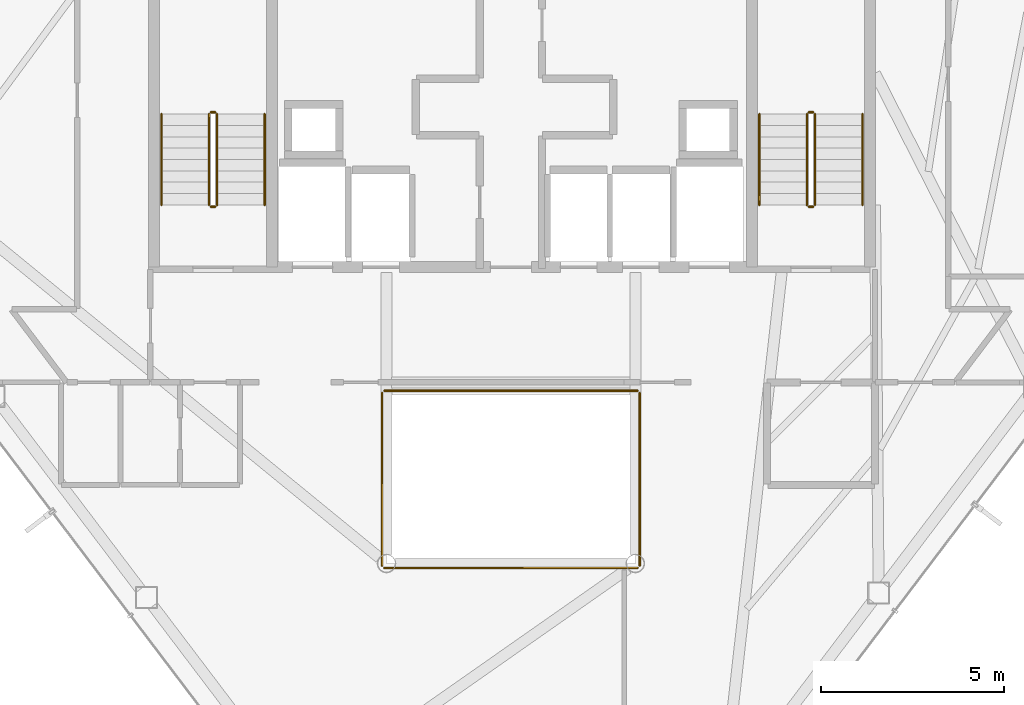
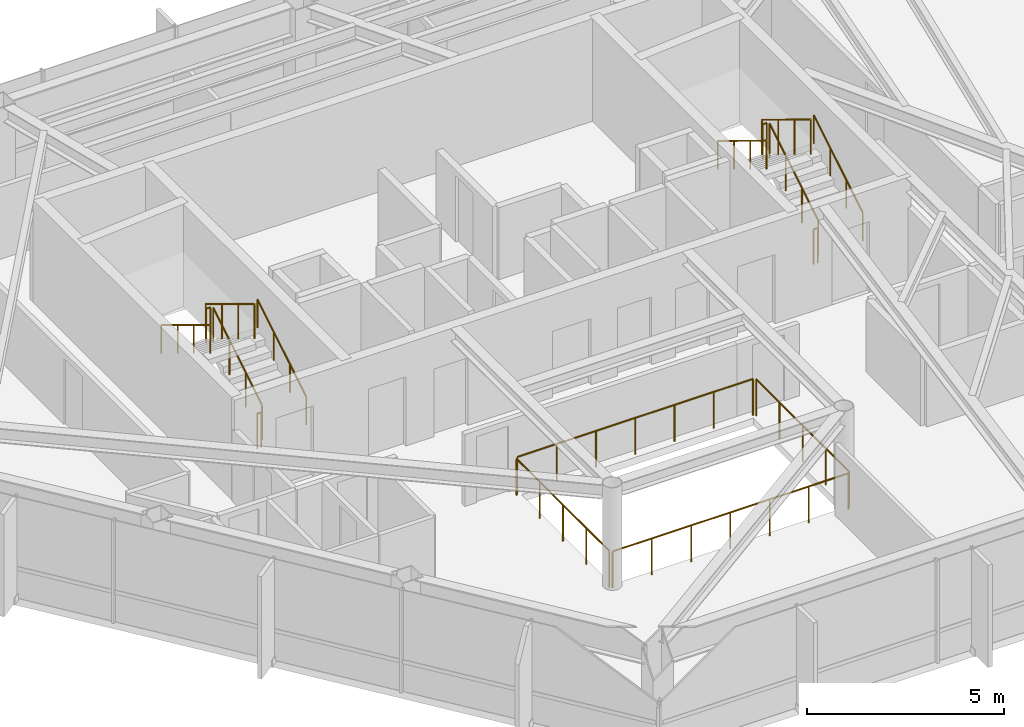
# One storey, part 28 of 28: 16 railings.
"""IFC4 building model written with IfcOpenShell, lengths in metres."""

from ifc_helpers import new_model, si_unit, direction, frame, origin, origin_2d, place, context, subcontext, project, spatial, circle, extrude, material, type_object, element, save


model = new_model("IFC4")

# Units and contexts
model_context = context("Model", 3, precision=1e-05, world=origin(), true_north=direction((0.0, 1.0)))
body_context = subcontext(model_context, "Body", "Model", "MODEL_VIEW")
ifc_project = project(units=[si_unit("LENGTHUNIT", "METRE"), si_unit("AREAUNIT", "SQUARE_METRE"), si_unit("VOLUMEUNIT", "CUBIC_METRE"), si_unit("PLANEANGLEUNIT", "RADIAN"), si_unit("MASSUNIT", "GRAM", prefix="KILO")], contexts=[model_context])

# Site, building, storey
site_placement = place(None, origin())
site = spatial("IfcSite", under=ifc_project, at=site_placement, CompositionType="ELEMENT")
building_placement = place(site_placement, origin())
building = spatial("IfcBuilding", under=site, at=building_placement, Name="Zarrinselat Tower", CompositionType="ELEMENT")
storey_placement = place(building_placement, frame((0.0, 0.0, 222.360107421875)))
storey = spatial("IfcBuildingStorey", under=building, at=storey_placement, Name="L55", CompositionType="ELEMENT", Elevation=222.360107421875)

# Railings
ifc_material_1 = material(Name="Double Low-E Laminated Solar Glass", Category="glass")
railing_type_1 = type_object("IfcRailingType", Name="RLG-ATRIUM-BAL", PredefinedType="BALUSTRADE", material=ifc_material_1)
railing_1_placement = place(storey_placement, frame((34.93994140625, 25.080078125, 0.0)))
element("IfcRailing", 1, at=railing_1_placement, inside=storey, type_object=railing_type_1, Name="L55 Atrium Void Glass Balustrade S", PredefinedType="BALUSTRADE", context=body_context, shape_type="SweptSolid", body=[
    extrude(circle(Radius=0.02392578125, at=origin_2d()), frame((0.0, 0.0, 1.1259765625), z_axis=(1.0, 0.0, 0.0), x_axis=(0.0, 1.0, 0.0)), (0.0, 0.0, 1.0), 6.920166015625),
    extrude(circle(Radius=0.02099609375, at=origin_2d()), origin(), (0.0, 0.0, 1.0), 1.099853515625),
    extrude(circle(Radius=0.02099609375, at=origin_2d()), frame((1.1533203125, 0.0, 0.0)), (0.0, 0.0, 1.0), 1.099853515625),
    extrude(circle(Radius=0.02099609375, at=origin_2d()), frame((2.306640625, 0.0, 0.0)), (0.0, 0.0, 1.0), 1.099853515625),
    extrude(circle(Radius=0.02099609375, at=origin_2d()), frame((3.4599609375, 0.0, 0.0)), (0.0, 0.0, 1.0), 1.099853515625),
    extrude(circle(Radius=0.02099609375, at=origin_2d()), frame((4.613525390625, 0.0, 0.0)), (0.0, 0.0, 1.0), 1.099853515625),
    extrude(circle(Radius=0.02099609375, at=origin_2d()), frame((5.766845703125, 0.0, 0.0)), (0.0, 0.0, 1.0), 1.099853515625),
    extrude(circle(Radius=0.02099609375, at=origin_2d()), frame((6.920166015625, 0.0, 0.0)), (0.0, 0.0, 1.0), 1.099853515625),
])
railing_2_placement = place(storey_placement, frame((41.919921875, 25.139892578125, 0.0)))
element("IfcRailing", 2, at=railing_2_placement, inside=storey, type_object=railing_type_1, Name="L55 Atrium Void Glass Balustrade E", PredefinedType="BALUSTRADE", context=body_context, shape_type="SweptSolid", body=[
    extrude(circle(Radius=0.02392578125, at=origin_2d()), frame((0.0, 0.0, 1.1259765625), z_axis=(0.0, 1.0, 0.0), x_axis=(-1.0, 0.0, 0.0)), (0.0, 0.0, 1.0), 4.72021484375),
    extrude(circle(Radius=0.02099609375, at=origin_2d()), origin(), (0.0, 0.0, 1.0), 1.099853515625),
    extrude(circle(Radius=0.02099609375, at=origin_2d()), frame((0.0, 1.18017578125, 0.0)), (0.0, 0.0, 1.0), 1.099853515625),
    extrude(circle(Radius=0.02099609375, at=origin_2d()), frame((0.0, 2.360107421875, 0.0)), (0.0, 0.0, 1.0), 1.099853515625),
    extrude(circle(Radius=0.02099609375, at=origin_2d()), frame((0.0, 3.5400390625, 0.0)), (0.0, 0.0, 1.0), 1.099853515625),
    extrude(circle(Radius=0.02099609375, at=origin_2d()), frame((0.0, 4.72021484375, 0.0)), (0.0, 0.0, 1.0), 1.099853515625),
])
railing_3_placement = place(storey_placement, frame((41.860107421875, 29.919921875, 0.0)))
element("IfcRailing", 3, at=railing_3_placement, inside=storey, type_object=railing_type_1, Name="L55 Atrium Void Glass Balustrade N", PredefinedType="BALUSTRADE", context=body_context, shape_type="SweptSolid", body=[
    extrude(circle(Radius=0.02392578125, at=origin_2d()), frame((0.0, 0.0, 1.1259765625), z_axis=(-1.0, 0.0, 0.0), x_axis=(0.0, -1.0, 0.0)), (0.0, 0.0, 1.0), 6.920166015625),
    extrude(circle(Radius=0.02099609375, at=origin_2d()), origin(), (0.0, 0.0, 1.0), 1.099853515625),
    extrude(circle(Radius=0.02099609375, at=origin_2d()), frame((-1.1533203125, 0.0, 0.0)), (0.0, 0.0, 1.0), 1.099853515625),
    extrude(circle(Radius=0.02099609375, at=origin_2d()), frame((-2.306640625, 0.0, 0.0)), (0.0, 0.0, 1.0), 1.099853515625),
    extrude(circle(Radius=0.02099609375, at=origin_2d()), frame((-3.4599609375, 0.0, 0.0)), (0.0, 0.0, 1.0), 1.099853515625),
    extrude(circle(Radius=0.02099609375, at=origin_2d()), frame((-4.613525390625, 0.0, 0.0)), (0.0, 0.0, 1.0), 1.099853515625),
    extrude(circle(Radius=0.02099609375, at=origin_2d()), frame((-5.766845703125, 0.0, 0.0)), (0.0, 0.0, 1.0), 1.099853515625),
    extrude(circle(Radius=0.02099609375, at=origin_2d()), frame((-6.920166015625, 0.0, 0.0)), (0.0, 0.0, 1.0), 1.099853515625),
])
railing_4_placement = place(storey_placement, frame((34.8798828125, 29.860107421875, 0.0)))
element("IfcRailing", 4, at=railing_4_placement, inside=storey, type_object=railing_type_1, Name="L55 Atrium Void Glass Balustrade W", PredefinedType="BALUSTRADE", context=body_context, shape_type="SweptSolid", body=[
    extrude(circle(Radius=0.02392578125, at=origin_2d()), frame((0.0, 0.0, 1.1259765625), z_axis=(0.0, -1.0, 0.0), x_axis=(1.0, 0.0, 0.0)), (0.0, 0.0, 1.0), 4.72021484375),
    extrude(circle(Radius=0.02099609375, at=origin_2d()), origin(), (0.0, 0.0, 1.0), 1.099853515625),
    extrude(circle(Radius=0.02099609375, at=origin_2d()), frame((0.0, -1.18017578125, 0.0)), (0.0, 0.0, 1.0), 1.099853515625),
    extrude(circle(Radius=0.02099609375, at=origin_2d()), frame((0.0, -2.360107421875, 0.0)), (0.0, 0.0, 1.0), 1.099853515625),
    extrude(circle(Radius=0.02099609375, at=origin_2d()), frame((0.0, -3.5400390625, 0.0)), (0.0, 0.0, 1.0), 1.099853515625),
    extrude(circle(Radius=0.02099609375, at=origin_2d()), frame((0.0, -4.72021484375, 0.0)), (0.0, 0.0, 1.0), 1.099853515625),
])
ifc_material_2 = material(Name="Steel S355J2", Category="steel")
railing_type_2 = type_object("IfcRailingType", Name="RLG-STAIR-GUARD", PredefinedType="GUARDRAIL", material=ifc_material_2)
railing_5_placement = place(storey_placement, frame((30.3701171875, 35.0, 0.188720703125)))
element("IfcRailing", 5, at=railing_5_placement, inside=storey, type_object=railing_type_2, Name="L55 ST-1 stair guard 1", PredefinedType="GUARDRAIL", context=body_context, shape_type="SweptSolid", body=[
    extrude(circle(Radius=0.02392578125, at=origin_2d()), frame((0.0, 0.0, 1.076171875), z_axis=(0.0, 0.853941963558, 0.520368256982), x_axis=(-1.0, 0.0, 0.0)), (0.0, 0.0, 1.0), 2.904052734375),
    extrude(circle(Radius=0.02099609375, at=origin_2d()), origin(), (0.0, 0.0, 1.0), 1.050048828125),
    extrude(circle(Radius=0.02099609375, at=origin_2d()), frame((0.0, 0.82666015625, 0.503662109375)), (0.0, 0.0, 1.0), 1.050048828125),
    extrude(circle(Radius=0.02099609375, at=origin_2d()), frame((0.0, 1.6533203125, 1.007568359375)), (0.0, 0.0, 1.0), 1.050048828125),
    extrude(circle(Radius=0.02099609375, at=origin_2d()), frame((0.0, 2.47998046875, 1.51123046875)), (0.0, 0.0, 1.0), 1.050048828125),
])
railing_6_placement = place(storey_placement, frame((30.320068359375, 37.530029296875, 1.699951171875)))
element("IfcRailing", 6, at=railing_6_placement, inside=storey, type_object=railing_type_2, Name="L55 ST-1 stair guard 2", PredefinedType="GUARDRAIL", context=body_context, shape_type="SweptSolid", body=[
    extrude(circle(Radius=0.02392578125, at=origin_2d()), frame((0.0, 0.0, 1.076171875), z_axis=(-1.0, 0.0, 0.0), x_axis=(0.0, -1.0, 0.0)), (0.0, 0.0, 1.0), 0.1201171875),
    extrude(circle(Radius=0.02099609375, at=origin_2d()), origin(), (0.0, 0.0, 1.0), 1.050048828125),
    extrude(circle(Radius=0.02099609375, at=origin_2d()), frame((-0.1201171875, 0.0, 0.0)), (0.0, 0.0, 1.0), 1.050048828125),
])
railing_7_placement = place(storey_placement, frame((30.14990234375, 37.47998046875, 1.888671875)))
element("IfcRailing", 7, at=railing_7_placement, inside=storey, type_object=railing_type_2, Name="L55 ST-1 stair guard 3", PredefinedType="GUARDRAIL", context=body_context, shape_type="SweptSolid", body=[
    extrude(circle(Radius=0.02392578125, at=origin_2d()), frame((0.0, 0.0, 1.076171875), z_axis=(0.0, -0.853941963558, 0.520368256982), x_axis=(1.0, 0.0, 0.0)), (0.0, 0.0, 1.0), 2.904052734375),
    extrude(circle(Radius=0.02099609375, at=origin_2d()), origin(), (0.0, 0.0, 1.0), 1.050048828125),
    extrude(circle(Radius=0.02099609375, at=origin_2d()), frame((0.0, -0.82666015625, 0.503662109375)), (0.0, 0.0, 1.0), 1.050048828125),
    extrude(circle(Radius=0.02099609375, at=origin_2d()), frame((0.0, -1.6533203125, 1.007568359375)), (0.0, 0.0, 1.0), 1.050048828125),
    extrude(circle(Radius=0.02099609375, at=origin_2d()), frame((0.0, -2.47998046875, 1.51123046875)), (0.0, 0.0, 1.0), 1.050048828125),
])
railing_8_placement = place(storey_placement, frame((30.320068359375, 34.949951171875, 0.0)))
element("IfcRailing", 8, at=railing_8_placement, inside=storey, type_object=railing_type_2, Name="L55 ST-1 stair guard 4", PredefinedType="GUARDRAIL", context=body_context, shape_type="SweptSolid", body=[
    extrude(circle(Radius=0.02392578125, at=origin_2d()), frame((0.0, 0.0, 1.076171875), z_axis=(-1.0, 0.0, 0.0), x_axis=(0.0, -1.0, 0.0)), (0.0, 0.0, 1.0), 0.1201171875),
    extrude(circle(Radius=0.02099609375, at=origin_2d()), origin(), (0.0, 0.0, 1.0), 1.050048828125),
    extrude(circle(Radius=0.02099609375, at=origin_2d()), frame((-0.1201171875, 0.0, 0.0)), (0.0, 0.0, 1.0), 1.050048828125),
])
railing_9_placement = place(storey_placement, frame((46.7099609375, 35.0, 0.188720703125)))
element("IfcRailing", 9, at=railing_9_placement, inside=storey, type_object=railing_type_2, Name="L55 ST-2 stair guard 1", PredefinedType="GUARDRAIL", context=body_context, shape_type="SweptSolid", body=[
    extrude(circle(Radius=0.02392578125, at=origin_2d()), frame((0.0, 0.0, 1.076171875), z_axis=(0.0, 0.853941963558, 0.520368256982), x_axis=(-1.0, 0.0, 0.0)), (0.0, 0.0, 1.0), 2.904052734375),
    extrude(circle(Radius=0.02099609375, at=origin_2d()), origin(), (0.0, 0.0, 1.0), 1.050048828125),
    extrude(circle(Radius=0.02099609375, at=origin_2d()), frame((0.0, 0.82666015625, 0.503662109375)), (0.0, 0.0, 1.0), 1.050048828125),
    extrude(circle(Radius=0.02099609375, at=origin_2d()), frame((0.0, 1.6533203125, 1.007568359375)), (0.0, 0.0, 1.0), 1.050048828125),
    extrude(circle(Radius=0.02099609375, at=origin_2d()), frame((0.0, 2.47998046875, 1.51123046875)), (0.0, 0.0, 1.0), 1.050048828125),
])
railing_10_placement = place(storey_placement, frame((46.659912109375, 37.530029296875, 1.699951171875)))
element("IfcRailing", 10, at=railing_10_placement, inside=storey, type_object=railing_type_2, Name="L55 ST-2 stair guard 2", PredefinedType="GUARDRAIL", context=body_context, shape_type="SweptSolid", body=[
    extrude(circle(Radius=0.02392578125, at=origin_2d()), frame((0.0, 0.0, 1.076171875), z_axis=(-1.0, 0.0, 0.0), x_axis=(0.0, -1.0, 0.0)), (0.0, 0.0, 1.0), 0.119873046875),
    extrude(circle(Radius=0.02099609375, at=origin_2d()), origin(), (0.0, 0.0, 1.0), 1.050048828125),
    extrude(circle(Radius=0.02099609375, at=origin_2d()), frame((-0.119873046875, 0.0, 0.0)), (0.0, 0.0, 1.0), 1.050048828125),
])
railing_11_placement = place(storey_placement, frame((46.489990234375, 37.47998046875, 1.888671875)))
element("IfcRailing", 11, at=railing_11_placement, inside=storey, type_object=railing_type_2, Name="L55 ST-2 stair guard 3", PredefinedType="GUARDRAIL", context=body_context, shape_type="SweptSolid", body=[
    extrude(circle(Radius=0.02392578125, at=origin_2d()), frame((0.0, 0.0, 1.076171875), z_axis=(0.0, -0.853941963558, 0.520368256982), x_axis=(1.0, 0.0, 0.0)), (0.0, 0.0, 1.0), 2.904052734375),
    extrude(circle(Radius=0.02099609375, at=origin_2d()), origin(), (0.0, 0.0, 1.0), 1.050048828125),
    extrude(circle(Radius=0.02099609375, at=origin_2d()), frame((0.0, -0.82666015625, 0.503662109375)), (0.0, 0.0, 1.0), 1.050048828125),
    extrude(circle(Radius=0.02099609375, at=origin_2d()), frame((0.0, -1.6533203125, 1.007568359375)), (0.0, 0.0, 1.0), 1.050048828125),
    extrude(circle(Radius=0.02099609375, at=origin_2d()), frame((0.0, -2.47998046875, 1.51123046875)), (0.0, 0.0, 1.0), 1.050048828125),
])
railing_12_placement = place(storey_placement, frame((46.659912109375, 34.949951171875, 0.0)))
element("IfcRailing", 12, at=railing_12_placement, inside=storey, type_object=railing_type_2, Name="L55 ST-2 stair guard 4", PredefinedType="GUARDRAIL", context=body_context, shape_type="SweptSolid", body=[
    extrude(circle(Radius=0.02392578125, at=origin_2d()), frame((0.0, 0.0, 1.076171875), z_axis=(-1.0, 0.0, 0.0), x_axis=(0.0, -1.0, 0.0)), (0.0, 0.0, 1.0), 0.119873046875),
    extrude(circle(Radius=0.02099609375, at=origin_2d()), origin(), (0.0, 0.0, 1.0), 1.050048828125),
    extrude(circle(Radius=0.02099609375, at=origin_2d()), frame((-0.119873046875, 0.0, 0.0)), (0.0, 0.0, 1.0), 1.050048828125),
])
ifc_material_3 = material(Name="Steel S355J2", Category="steel")
railing_type_3 = type_object("IfcRailingType", Name="RLG-STAIR-HAND", PredefinedType="HANDRAIL", material=ifc_material_3)
railing_13_placement = place(storey_placement, frame((31.669921875, 35.0, 0.188720703125)))
element("IfcRailing", 13, at=railing_13_placement, inside=storey, type_object=railing_type_3, Name="L55 ST-1 stair handrail 1", PredefinedType="HANDRAIL", context=body_context, shape_type="SweptSolid", body=[
    extrude(circle(Radius=0.02392578125, at=origin_2d()), frame((0.0, 0.0, 0.8759765625), z_axis=(0.0, 0.853941963558, 0.520368256982), x_axis=(-1.0, 0.0, 0.0)), (0.0, 0.0, 1.0), 2.904052734375),
    extrude(circle(Radius=0.02099609375, at=origin_2d()), origin(), (0.0, 0.0, 1.0), 0.849853515625),
    extrude(circle(Radius=0.02099609375, at=origin_2d()), frame((0.0, 0.82666015625, 0.503662109375)), (0.0, 0.0, 1.0), 0.849853515625),
    extrude(circle(Radius=0.02099609375, at=origin_2d()), frame((0.0, 1.6533203125, 1.007568359375)), (0.0, 0.0, 1.0), 0.849853515625),
    extrude(circle(Radius=0.02099609375, at=origin_2d()), frame((0.0, 2.47998046875, 1.51123046875)), (0.0, 0.0, 1.0), 0.849853515625),
])
railing_14_placement = place(storey_placement, frame((28.85009765625, 37.47998046875, 1.888671875)))
element("IfcRailing", 14, at=railing_14_placement, inside=storey, type_object=railing_type_3, Name="L55 ST-1 stair handrail 2", PredefinedType="HANDRAIL", context=body_context, shape_type="SweptSolid", body=[
    extrude(circle(Radius=0.02392578125, at=origin_2d()), frame((0.0, 0.0, 0.8759765625), z_axis=(0.0, -0.853941963558, 0.520368256982), x_axis=(1.0, 0.0, 0.0)), (0.0, 0.0, 1.0), 2.904052734375),
    extrude(circle(Radius=0.02099609375, at=origin_2d()), origin(), (0.0, 0.0, 1.0), 0.849853515625),
    extrude(circle(Radius=0.02099609375, at=origin_2d()), frame((0.0, -0.82666015625, 0.503662109375)), (0.0, 0.0, 1.0), 0.849853515625),
    extrude(circle(Radius=0.02099609375, at=origin_2d()), frame((0.0, -1.6533203125, 1.007568359375)), (0.0, 0.0, 1.0), 0.849853515625),
    extrude(circle(Radius=0.02099609375, at=origin_2d()), frame((0.0, -2.47998046875, 1.51123046875)), (0.0, 0.0, 1.0), 0.849853515625),
])
railing_15_placement = place(storey_placement, frame((48.010009765625, 35.0, 0.188720703125)))
element("IfcRailing", 15, at=railing_15_placement, inside=storey, type_object=railing_type_3, Name="L55 ST-2 stair handrail 1", PredefinedType="HANDRAIL", context=body_context, shape_type="SweptSolid", body=[
    extrude(circle(Radius=0.02392578125, at=origin_2d()), frame((0.0, 0.0, 0.8759765625), z_axis=(0.0, 0.853941963558, 0.520368256982), x_axis=(-1.0, 0.0, 0.0)), (0.0, 0.0, 1.0), 2.904052734375),
    extrude(circle(Radius=0.02099609375, at=origin_2d()), origin(), (0.0, 0.0, 1.0), 0.849853515625),
    extrude(circle(Radius=0.02099609375, at=origin_2d()), frame((0.0, 0.82666015625, 0.503662109375)), (0.0, 0.0, 1.0), 0.849853515625),
    extrude(circle(Radius=0.02099609375, at=origin_2d()), frame((0.0, 1.6533203125, 1.007568359375)), (0.0, 0.0, 1.0), 0.849853515625),
    extrude(circle(Radius=0.02099609375, at=origin_2d()), frame((0.0, 2.47998046875, 1.51123046875)), (0.0, 0.0, 1.0), 0.849853515625),
])
railing_16_placement = place(storey_placement, frame((45.18994140625, 37.47998046875, 1.888671875)))
element("IfcRailing", 16, at=railing_16_placement, inside=storey, type_object=railing_type_3, Name="L55 ST-2 stair handrail 2", PredefinedType="HANDRAIL", context=body_context, shape_type="SweptSolid", body=[
    extrude(circle(Radius=0.02392578125, at=origin_2d()), frame((0.0, 0.0, 0.8759765625), z_axis=(0.0, -0.853941963558, 0.520368256982), x_axis=(1.0, 0.0, 0.0)), (0.0, 0.0, 1.0), 2.904052734375),
    extrude(circle(Radius=0.02099609375, at=origin_2d()), origin(), (0.0, 0.0, 1.0), 0.849853515625),
    extrude(circle(Radius=0.02099609375, at=origin_2d()), frame((0.0, -0.82666015625, 0.503662109375)), (0.0, 0.0, 1.0), 0.849853515625),
    extrude(circle(Radius=0.02099609375, at=origin_2d()), frame((0.0, -1.6533203125, 1.007568359375)), (0.0, 0.0, 1.0), 0.849853515625),
    extrude(circle(Radius=0.02099609375, at=origin_2d()), frame((0.0, -2.47998046875, 1.51123046875)), (0.0, 0.0, 1.0), 0.849853515625),
])

save(model, "model.ifc")
